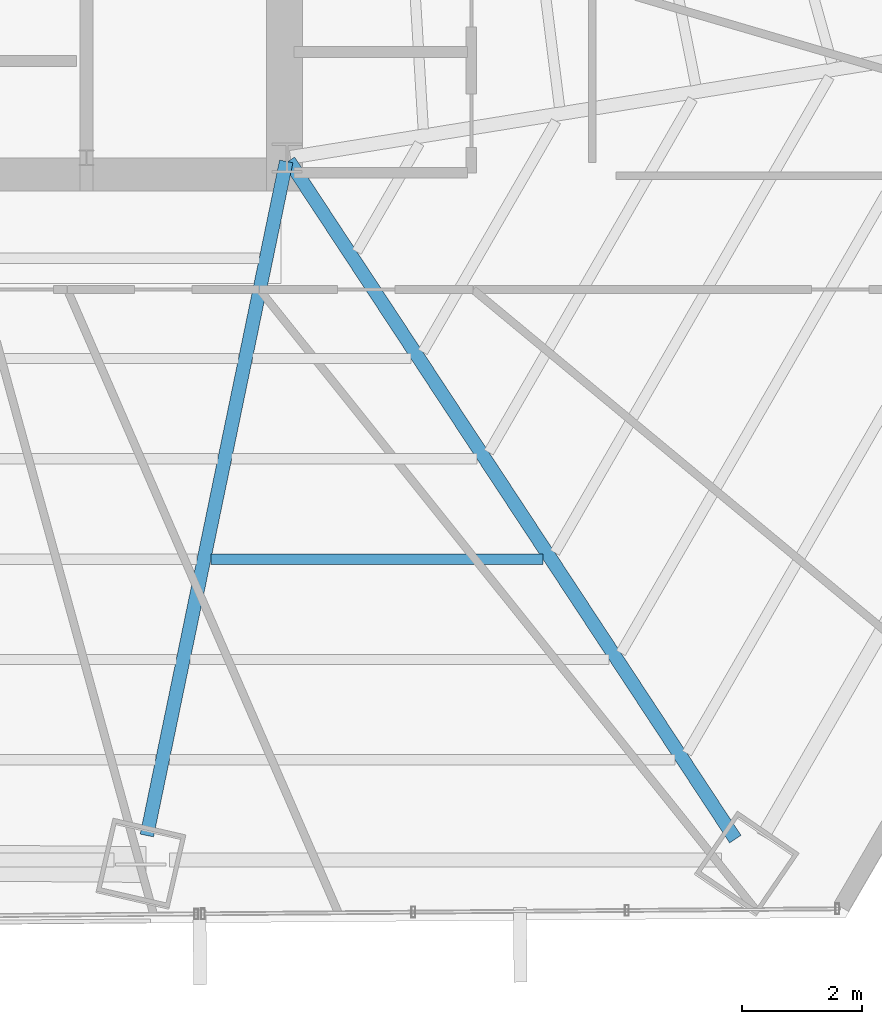
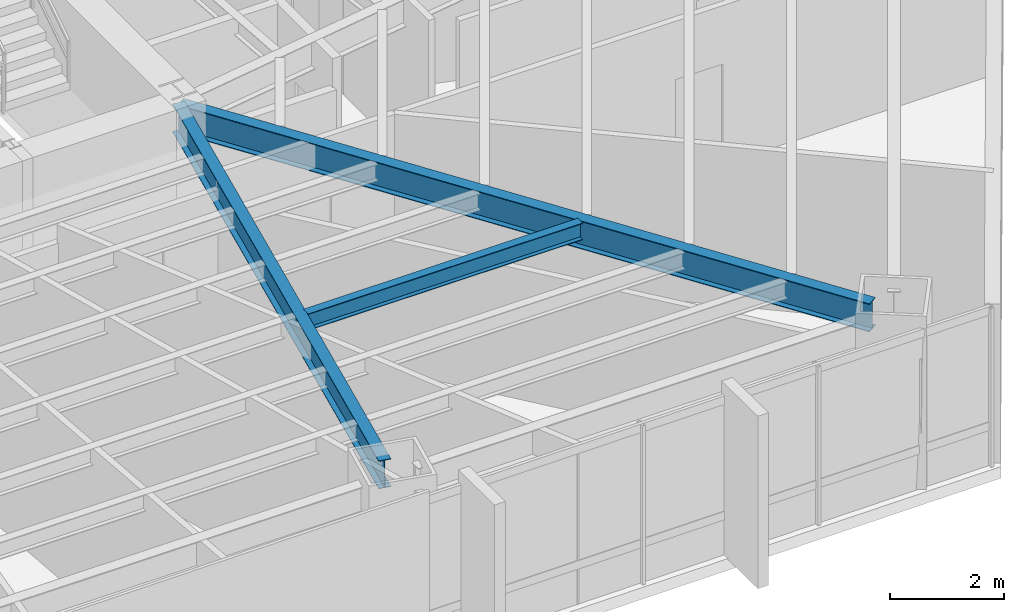
# One storey, part 17 of 38: 3 beams.
"""IFC4 building model written with IfcOpenShell, lengths in metres."""

from ifc_helpers import new_model, si_unit, direction, frame, origin, origin_2d, place, context, subcontext, project, spatial, i_section, extrude, source, transform, mapped, material, material_profile, profile_set, type_object, type_shapes, element, save


model = new_model("IFC4")

# Units and contexts
model_context = context("Model", 3, precision=1e-05, world=origin(), true_north=direction((0.0, 1.0)))
body_context = subcontext(model_context, "Body", "Model", "MODEL_VIEW")
ifc_project = project(units=[si_unit("LENGTHUNIT", "METRE"), si_unit("AREAUNIT", "SQUARE_METRE"), si_unit("VOLUMEUNIT", "CUBIC_METRE"), si_unit("PLANEANGLEUNIT", "RADIAN"), si_unit("MASSUNIT", "GRAM", prefix="KILO")], contexts=[model_context])

# Site, building, storey
site_placement = place(None, origin())
site = spatial("IfcSite", under=ifc_project, at=site_placement, CompositionType="ELEMENT")
building_placement = place(site_placement, origin())
building = spatial("IfcBuilding", under=site, at=building_placement, Name="Caelisora Broadcast Tower", CompositionType="ELEMENT")
storey_placement = place(building_placement, frame((0.0, 0.0, 67.75)))
storey = spatial("IfcBuildingStorey", under=building, at=storey_placement, Name="L17", CompositionType="ELEMENT", Elevation=67.75)

# Beams
ifc_material = material(Name="Steel Grade 350 (AS/NZS 3679.1)", Category="steel")
ifc_material_profile_1 = material_profile(ifc_material, i_section(OverallWidth=0.22802734375, OverallDepth=0.602294921875, WebThickness=0.010498046875, FlangeThickness=0.014892578125, at=origin_2d()), Name="Steel Grade 350 (AS/NZS 3679.1)")
ifc_profile_set_1 = profile_set([ifc_material_profile_1], Name="Steel Grade 350 (AS/NZS 3679.1)")
beam_type_1 = type_object("IfcBeamType", Name="PG04", PredefinedType="BEAM", material=ifc_profile_set_1)
shared_shape_1 = source(origin(), body_context, "Body", "SweptSolid", [
    extrude(i_section(OverallWidth=0.22802734375, OverallDepth=0.602294921875, WebThickness=0.010498046875, FlangeThickness=0.014892578125, at=origin_2d()), origin(), (0.0, 0.0, 1.0), 13.56591796875),
])
beam_1_placement = place(storey_placement, frame((45.532958984375, 17.349853515625, 3.098876953125), z_axis=(0.549798281799, -0.835297461585, 0.0), x_axis=(0.835297461585, 0.549798281799, 0.0)))
element("IfcBeam", 1, at=beam_1_placement, inside=storey, type_object=beam_type_1, Name="L17 beam PG04", PredefinedType="BEAM", context=body_context, shape_type="MappedRepresentation", body=[
    mapped(shared_shape_1, transform((0.0, 0.0, 0.0), scale=1.0)),
])
shared_shape_2 = source(origin(), body_context, "Body", "SweptSolid", [
    extrude(i_section(OverallWidth=0.22802734375, OverallDepth=0.602294921875, WebThickness=0.010498046875, FlangeThickness=0.014892578125, at=origin_2d()), origin(), (0.0, 0.0, 1.0), 11.500732421875),
])
type_shapes(beam_type_1, [shared_shape_1, shared_shape_2])
beam_2_placement = place(storey_placement, frame((45.48779296875, 17.34130859375, 3.098876953125), z_axis=(-0.202476440676, -0.979287134078, 0.0), x_axis=(0.979287134078, -0.202476440676, 0.0)))
element("IfcBeam", 2, at=beam_2_placement, inside=storey, type_object=beam_type_1, Name="L17 beam PG04", PredefinedType="BEAM", context=body_context, shape_type="MappedRepresentation", body=[
    mapped(shared_shape_2, transform((0.0, 0.0, 0.0), scale=1.0)),
])
ifc_material_profile_2 = material_profile(ifc_material, i_section(OverallWidth=0.172119140625, OverallDepth=0.358642578125, WebThickness=0.008056640625, FlangeThickness=0.012939453125, at=origin_2d()), Name="Steel Grade 350 (AS/NZS 3679.1)")
ifc_profile_set_2 = profile_set([ifc_material_profile_2], Name="Steel Grade 350 (AS/NZS 3679.1)")
beam_type_2 = type_object("IfcBeamType", Name="SB02", PredefinedType="JOIST", material=ifc_profile_set_2)
shared_shape_3 = source(origin(), body_context, "Body", "SweptSolid", [
    extrude(i_section(OverallWidth=0.172119140625, OverallDepth=0.358642578125, WebThickness=0.008056640625, FlangeThickness=0.012939453125, at=origin_2d()), origin(), (0.0, 0.0, 1.0), 5.552001953125),
])
type_shapes(beam_type_2, [shared_shape_3])
beam_3_placement = place(storey_placement, frame((44.227294921875, 10.69580078125, 3.220703125), z_axis=(1.0, 0.0, 0.0), x_axis=(0.0, 1.0, 0.0)))
element("IfcBeam", 3, at=beam_3_placement, inside=storey, type_object=beam_type_2, Name="L17 beam SB02", PredefinedType="JOIST", context=body_context, shape_type="MappedRepresentation", body=[
    mapped(shared_shape_3, transform((0.0, 0.0, 0.0), scale=1.0)),
])

save(model, "model.ifc")
